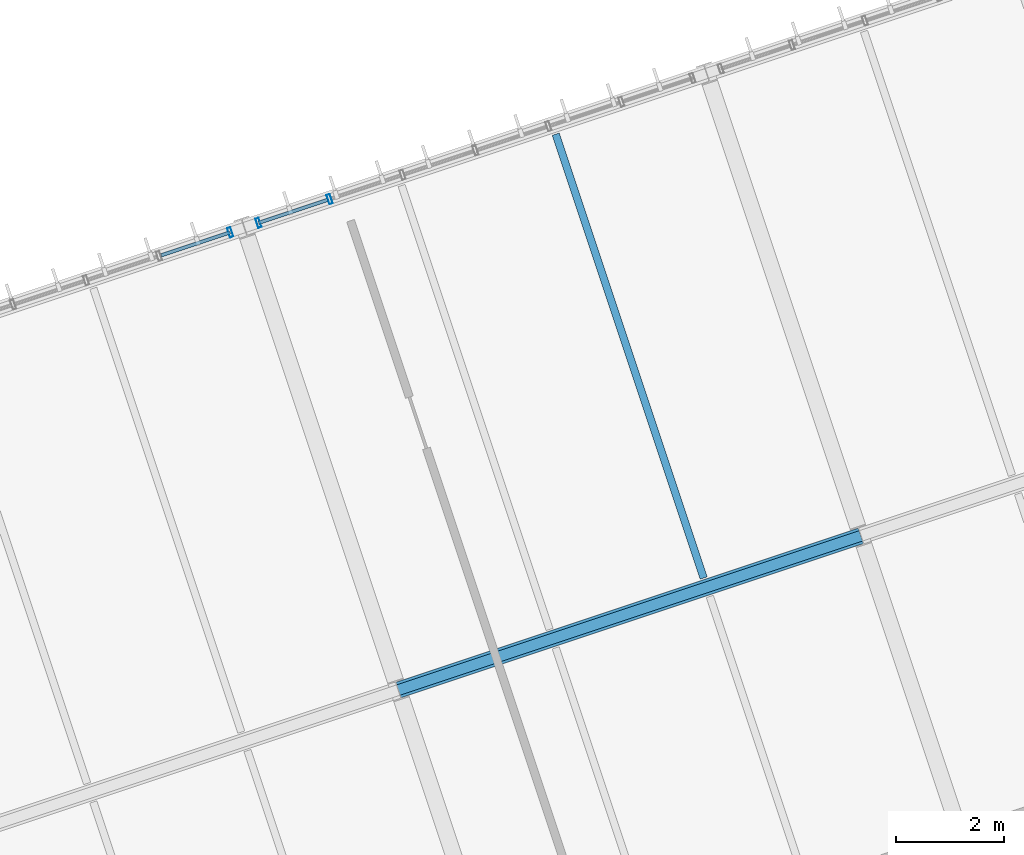
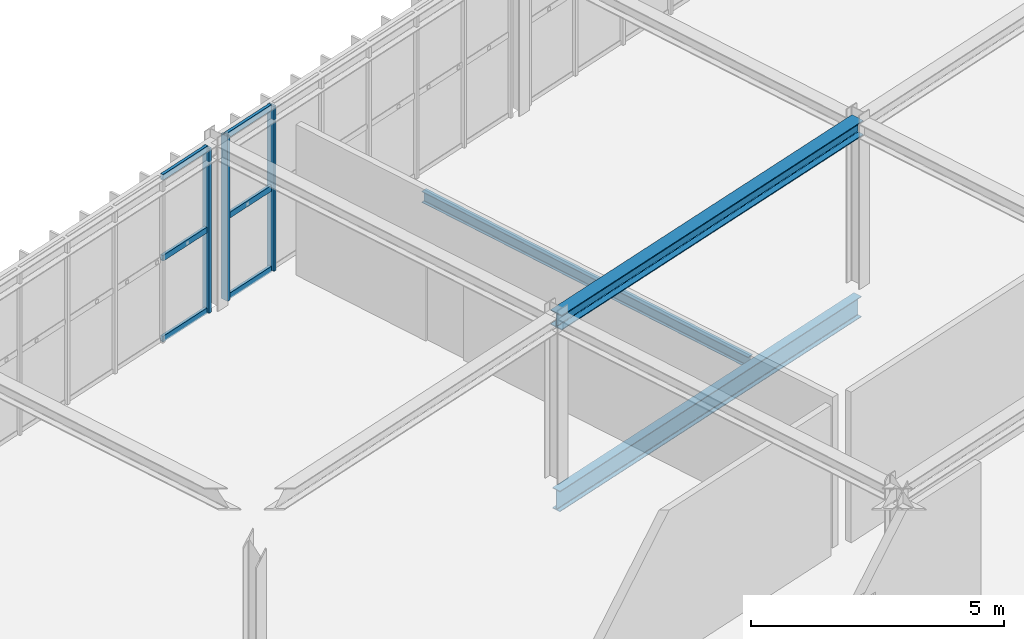
# One storey, part 15 of 61: 9 members, 3 beams, 2 elements without a shape of their own.
"""IFC4 building model written with IfcOpenShell, lengths in metres."""

from ifc_helpers import new_model, si_unit, derived_unit, direction, frame, origin, origin_2d, place, context, subcontext, project, spatial, hollow_rectangle, i_section, extrude, material, material_profile, profile_set, type_object, element, aggregate, save


model = new_model("IFC4")

# Units and contexts
model_context = context("Model", 3, precision=1e-05, world=origin(), true_north=direction((0.0, 1.0)))
body_context = subcontext(model_context, "Body", "Model", "MODEL_VIEW")
ifc_project = project(units=[si_unit("LENGTHUNIT", "METRE"), si_unit("AREAUNIT", "SQUARE_METRE"), si_unit("VOLUMEUNIT", "CUBIC_METRE"), si_unit("PLANEANGLEUNIT", "RADIAN"), si_unit("MASSUNIT", "GRAM", prefix="KILO"), si_unit("THERMODYNAMICTEMPERATUREUNIT", "KELVIN"), si_unit("TIMEUNIT", "SECOND"), derived_unit("THERMALTRANSMITTANCEUNIT", [(si_unit("MASSUNIT", "GRAM", prefix="KILO"), 1), (si_unit("THERMODYNAMICTEMPERATUREUNIT", "KELVIN"), -1), (si_unit("TIMEUNIT", "SECOND"), -3)])], contexts=[model_context])

# Site, building, storey
site_placement = place(None, origin())
site = spatial("IfcSite", under=ifc_project, at=site_placement, CompositionType="ELEMENT")
building_placement = place(site_placement, origin())
building = spatial("IfcBuilding", under=site, at=building_placement, Name="Cambertide Market Hall", CompositionType="ELEMENT")
storey_placement = place(building_placement, frame((0.0, 0.0, 9.89990234375)))
storey = spatial("IfcBuildingStorey", under=building, at=storey_placement, Name="L03", CompositionType="ELEMENT", Elevation=9.89990234375)

# Curtain wall, member
ifc_material_1 = material(Name="Marine Anodized Aluminium 6063-T6 AA25", Category="aluminium")
curtain_wall_type = type_object("IfcCurtainWallType", Name="Tasting Hall Panorama Curtain Wall", PredefinedType="USERDEFINED", material=ifc_material_1)
curtain_wall_1_placement = place(storey_placement, origin())
curtain_wall_1 = element("IfcCurtainWall", 1, at=curtain_wall_1_placement, inside=storey, type_object=curtain_wall_type, Name="Level 3 Curtain Wall CW-V3N-L03-2", ObjectType="UNITIZED CURTAIN WALL", PredefinedType="USERDEFINED")
ifc_material_2 = material(Name="Champagne Marine Anodized Aluminium 6063-T6 AA25", Category="aluminium")
ifc_material_profile_1 = material_profile(ifc_material_2, hollow_rectangle(XDim=0.06494140625, YDim=0.179931640625, WallThickness=0.00390625, at=origin_2d()), Name="ALU MULLION 65x180")
ifc_profile_set_1 = profile_set([ifc_material_profile_1], Name="Champagne Marine Anodized Aluminium 6063-T6 AA25")
member_type_1 = type_object("IfcMemberType", Name="Curtain Wall Mullion ALU MULLION 65x180", PredefinedType="MULLION", material=ifc_profile_set_1)
member_1_placement = place(storey_placement, frame((114.27734375, 43.219482421875, 0.0), z_axis=(0.0, 0.0, 1.0), x_axis=(0.948683321523, 0.316227695598, 0.0)))
member_1 = element("IfcMember", 2, at=member_1_placement, type_object=member_type_1, Name="CW-V3N-L03-2 Mullion 7", PredefinedType="MULLION", context=body_context, shape_type="SweptSolid", body=[
    extrude(hollow_rectangle(XDim=0.06494140625, YDim=0.179931640625, WallThickness=0.00390625, at=origin_2d()), origin(), (0.0, 0.0, 1.0), 3.97998046875),
])

# Curtain wall, members
curtain_wall_2_placement = place(storey_placement, origin())
curtain_wall_2 = element("IfcCurtainWall", 3, at=curtain_wall_2_placement, inside=storey, type_object=curtain_wall_type, Name="Level 3 Curtain Wall CW-V3N-L03-3", ObjectType="UNITIZED CURTAIN WALL", PredefinedType="USERDEFINED")
member_2_placement = place(storey_placement, frame((114.799072265625, 43.3935546875, 0.0), z_axis=(0.0, 0.0, 1.0), x_axis=(0.948683274577, 0.316227836438, 0.0)))
member_2 = element("IfcMember", 4, at=member_2_placement, type_object=member_type_1, Name="CW-V3N-L03-3 Mullion 1", PredefinedType="MULLION", context=body_context, shape_type="SweptSolid", body=[
    extrude(hollow_rectangle(XDim=0.06494140625, YDim=0.179931640625, WallThickness=0.00390625, at=origin_2d()), origin(), (0.0, 0.0, 1.0), 3.97998046875),
])
member_3_placement = place(storey_placement, frame((116.113037109375, 43.83154296875, 0.0), z_axis=(0.0, 0.0, 1.0), x_axis=(0.948683274577, 0.316227836438, 0.0)))
member_3 = element("IfcMember", 5, at=member_3_placement, type_object=member_type_1, Name="CW-V3N-L03-3 Mullion 2", PredefinedType="MULLION", context=body_context, shape_type="SweptSolid", body=[
    extrude(hollow_rectangle(XDim=0.06494140625, YDim=0.179931640625, WallThickness=0.00390625, at=origin_2d()), origin(), (0.0, 0.0, 1.0), 3.97998046875),
])

# Member
ifc_material_3 = material(Name="Champagne Marine Anodized Aluminium 6063-T6 AA25", Category="aluminium")
ifc_material_profile_2 = material_profile(ifc_material_3, hollow_rectangle(XDim=0.06494140625, YDim=0.139892578125, WallThickness=0.00341796875, at=origin_2d()), Name="ALU TRANSOM 65x140")
ifc_profile_set_2 = profile_set([ifc_material_profile_2], Name="Champagne Marine Anodized Aluminium 6063-T6 AA25")
member_type_2 = type_object("IfcMemberType", Name="Curtain Wall Transom ALU TRANSOM 65x140", PredefinedType="USERDEFINED", material=ifc_profile_set_2)
member_4_placement = place(storey_placement, frame((113.001220703125, 42.794189453125, 0.03515625), z_axis=(0.948665077442, 0.316282422593, 0.0), x_axis=(-0.316282422593, 0.948665077442, 0.0)))
member_4 = element("IfcMember", 6, at=member_4_placement, type_object=member_type_2, Name="CW-V3N-L03-2 Transom 1-6", ObjectType="TRANSOM", PredefinedType="USERDEFINED", context=body_context, shape_type="SweptSolid", body=[
    extrude(hollow_rectangle(XDim=0.06494140625, YDim=0.139892578125, WallThickness=0.00341796875, at=origin_2d()), origin(), (0.0, 0.0, 1.0), 1.340087890625),
])

member_5_placement = place(storey_placement, frame((113.001220703125, 42.794189453125, 1.989990234375), z_axis=(0.948665077442, 0.316282422593, 0.0), x_axis=(-0.316282422593, 0.948665077442, 0.0)))
member_5 = element("IfcMember", 7, at=member_5_placement, type_object=member_type_2, Name="CW-V3N-L03-2 Transom 2-6", ObjectType="TRANSOM", PredefinedType="USERDEFINED", context=body_context, shape_type="SweptSolid", body=[
    extrude(hollow_rectangle(XDim=0.06494140625, YDim=0.139892578125, WallThickness=0.00341796875, at=origin_2d()), origin(), (0.0, 0.0, 1.0), 1.340087890625),
])

member_6_placement = place(storey_placement, frame((113.001220703125, 42.794189453125, 3.945068359375), z_axis=(0.948665077442, 0.316282422593, 0.0), x_axis=(-0.316282422593, 0.948665077442, 0.0)))
member_6 = element("IfcMember", 8, at=member_6_placement, type_object=member_type_2, Name="CW-V3N-L03-2 Transom 3-6", ObjectType="TRANSOM", PredefinedType="USERDEFINED", context=body_context, shape_type="SweptSolid", body=[
    extrude(hollow_rectangle(XDim=0.06494140625, YDim=0.139892578125, WallThickness=0.00341796875, at=origin_2d()), origin(), (0.0, 0.0, 1.0), 1.340087890625),
])

aggregate(curtain_wall_1, [member_1, member_4, member_5, member_6])

member_7_placement = place(storey_placement, frame((114.8037109375, 43.39501953125, 0.03515625), z_axis=(0.948665077442, 0.316282422593, 0.0), x_axis=(-0.316282422593, 0.948665077442, 0.0)))
member_7 = element("IfcMember", 9, at=member_7_placement, type_object=member_type_2, Name="CW-V3N-L03-3 Transom 1-1", ObjectType="TRANSOM", PredefinedType="USERDEFINED", context=body_context, shape_type="SweptSolid", body=[
    extrude(hollow_rectangle(XDim=0.06494140625, YDim=0.139892578125, WallThickness=0.00341796875, at=origin_2d()), origin(), (0.0, 0.0, 1.0), 1.340087890625),
])

member_8_placement = place(storey_placement, frame((114.8037109375, 43.39501953125, 1.989990234375), z_axis=(0.948665077442, 0.316282422593, 0.0), x_axis=(-0.316282422593, 0.948665077442, 0.0)))
member_8 = element("IfcMember", 10, at=member_8_placement, type_object=member_type_2, Name="CW-V3N-L03-3 Transom 2-1", ObjectType="TRANSOM", PredefinedType="USERDEFINED", context=body_context, shape_type="SweptSolid", body=[
    extrude(hollow_rectangle(XDim=0.06494140625, YDim=0.139892578125, WallThickness=0.00341796875, at=origin_2d()), origin(), (0.0, 0.0, 1.0), 1.340087890625),
])

member_9_placement = place(storey_placement, frame((114.8037109375, 43.39501953125, 3.945068359375), z_axis=(0.948665077442, 0.316282422593, 0.0), x_axis=(-0.316282422593, 0.948665077442, 0.0)))
member_9 = element("IfcMember", 11, at=member_9_placement, type_object=member_type_2, Name="CW-V3N-L03-3 Transom 3-1", ObjectType="TRANSOM", PredefinedType="USERDEFINED", context=body_context, shape_type="SweptSolid", body=[
    extrude(hollow_rectangle(XDim=0.06494140625, YDim=0.139892578125, WallThickness=0.00341796875, at=origin_2d()), origin(), (0.0, 0.0, 1.0), 1.340087890625),
])

aggregate(curtain_wall_2, [member_2, member_3, member_7, member_8, member_9])

# Beams
ifc_material_4 = material(Name="Steel S355", Category="steel")
ifc_material_profile_3 = material_profile(ifc_material_4, i_section(OverallWidth=0.300048828125, OverallDepth=0.360107421875, WebThickness=0.012451171875, FlangeThickness=0.0224609375, FilletRadius=0.027099609375, at=origin_2d()), Name="HEB 360")
ifc_profile_set_3 = profile_set([ifc_material_profile_3], Name="Steel S355")
beam_type_1 = type_object("IfcBeamType", Name="Exterior Steel Girder HEB 360", PredefinedType="BEAM", material=ifc_profile_set_3)
beam_1_placement = place(storey_placement, frame((117.38427734375, 34.768310546875, 3.820068359375), z_axis=(0.948677872554, 0.31624404204, 0.0), x_axis=(-0.31624404204, 0.948677872554, 0.0)))
element("IfcBeam", 12, at=beam_1_placement, inside=storey, type_object=beam_type_1, Name="Level 3 Beam BM-V3U-RF-3-3", PredefinedType="BEAM", context=body_context, shape_type="SweptSolid", body=[
    extrude(i_section(OverallWidth=0.300048828125, OverallDepth=0.360107421875, WebThickness=0.012451171875, FlangeThickness=0.0224609375, FilletRadius=0.027099609375, at=origin_2d()), origin(), (0.0, 0.0, 1.0), 9.0),
])
ifc_material_5 = material(Name="Steel S355", Category="steel")
ifc_material_profile_4 = material_profile(ifc_material_5, i_section(OverallWidth=0.199951171875, OverallDepth=0.5, WebThickness=0.01025390625, FlangeThickness=0.01611328125, FilletRadius=0.02099609375, at=origin_2d()), Name="IPE 500")
ifc_profile_set_4 = profile_set([ifc_material_profile_4], Name="Steel S355")
beam_type_2 = type_object("IfcBeamType", Name="Steel Girder IPE 500", PredefinedType="BEAM", material=ifc_profile_set_4)
beam_2_placement = place(storey_placement, frame((117.38427734375, 34.768310546875, -0.52490234375), z_axis=(0.948677872554, 0.31624404204, 0.0), x_axis=(-0.31624404204, 0.948677872554, 0.0)))
element("IfcBeam", 13, at=beam_2_placement, inside=storey, type_object=beam_type_2, Name="Level 3 Beam BM-V3U-L03-3-3", PredefinedType="BEAM", context=body_context, shape_type="SweptSolid", body=[
    extrude(i_section(OverallWidth=0.199951171875, OverallDepth=0.5, WebThickness=0.01025390625, FlangeThickness=0.01611328125, FilletRadius=0.02099609375, at=origin_2d()), origin(), (0.0, 0.0, 1.0), 9.0),
])
ifc_material_6 = material(Name="Steel S275", Category="steel")
ifc_material_profile_5 = material_profile(ifc_material_6, i_section(OverallWidth=0.135009765625, OverallDepth=0.27001953125, WebThickness=0.006591796875, FlangeThickness=0.01025390625, FilletRadius=0.014892578125, at=origin_2d()), Name="IPE 270")
ifc_profile_set_5 = profile_set([ifc_material_profile_5], Name="Steel S275")
beam_type_3 = type_object("IfcBeamType", Name="Steel Secondary Joist IPE 270", PredefinedType="JOIST", material=ifc_profile_set_5)
beam_3_placement = place(storey_placement, frame((123.019287109375, 36.83642578125, -0.409912109375), z_axis=(-0.316219289033, 0.94868612367, 0.0), x_axis=(-0.94868612367, -0.316219289033, 0.0)))
element("IfcBeam", 14, at=beam_3_placement, inside=storey, type_object=beam_type_3, Name="Level 3 Joist JS-V3-L03-3-3-2", PredefinedType="JOIST", context=body_context, shape_type="SweptSolid", body=[
    extrude(i_section(OverallWidth=0.135009765625, OverallDepth=0.27001953125, WebThickness=0.006591796875, FlangeThickness=0.01025390625, FilletRadius=0.014892578125, at=origin_2d()), origin(), (0.0, 0.0, 1.0), 8.64013671875),
])

save(model, "model.ifc")
